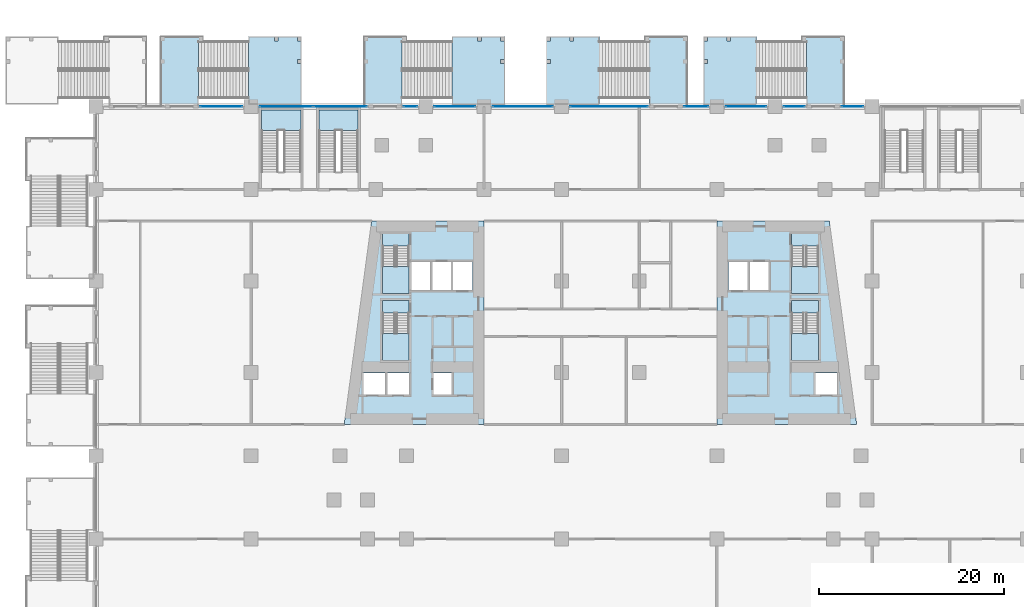
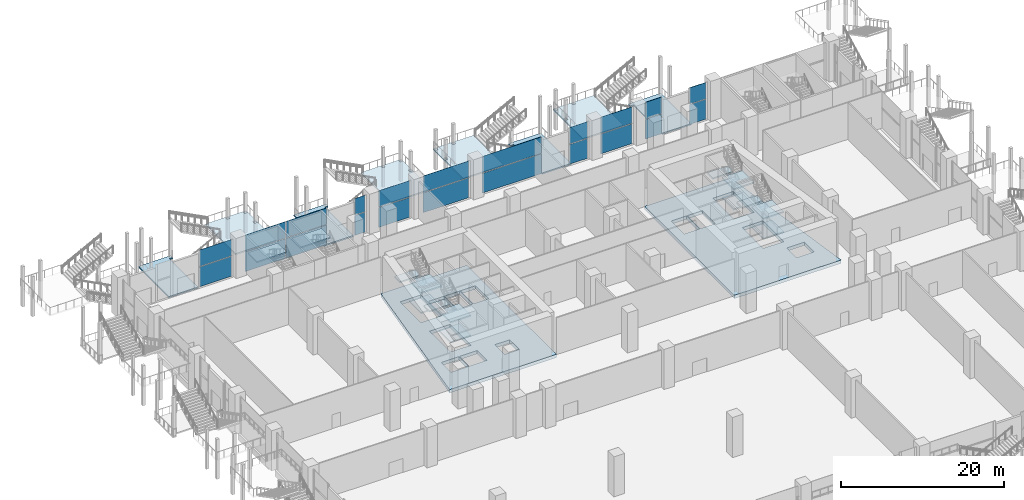
# One storey, part 19 of 49: 24 slabs, 22 plates, 20 elements without a shape of their own.
"""IFC4 building model written with IfcOpenShell, lengths in metres."""

import ifcopenshell
import ifcopenshell.guid

model = None  # the IFC model being written
_history = None  # IfcOwnerHistory: only IFC2X3 demands one
_inside = {}  # id of a spatial element -> (the spatial element, [elements in it])
_under = {}  # id of a project, library or spatial element -> (it, [spatial elements below it])
_declared = {}  # id of a project -> (the project, [libraries it declares])
_typed = {}  # id of a type object -> (the type object, [elements of that type])
_made_of = {}  # id of a material, layer set ... -> (it, [elements and type objects made of it])


def new_model(schema):
    """Start an empty IFC model of exactly this schema.

    Asked for "IFC4X3", IfcOpenShell would pick the latest addendum, in which some entities
    have other attributes; the version numbers below select the first issue.
    IFC2X3 requires an IfcOwnerHistory on every rooted entity: one is made here for all.
    """
    global model, _history
    if schema == "IFC4X3":
        model = ifcopenshell.file(schema_version=(4, 3, 0, 0))
    else:
        model = ifcopenshell.file(schema=schema)
    _inside.clear()
    _under.clear()
    _declared.clear()
    _typed.clear()
    _made_of.clear()
    _history = None
    if model.schema == "IFC2X3":
        org = make("IfcOrganization", Name="unknown")
        user = make(
            "IfcPersonAndOrganization",
            ThePerson=make("IfcPerson", FamilyName="unknown"),
            TheOrganization=org,
        )
        app = make(
            "IfcApplication",
            ApplicationDeveloper=org,
            Version="unknown",
            ApplicationFullName="unknown",
            ApplicationIdentifier="unknown",
        )
        _history = make(
            "IfcOwnerHistory",
            OwningUser=user,
            OwningApplication=app,
            ChangeAction="ADDED",
            CreationDate=0,
        )
    return model


def make(cls, **values):
    """One entity of the class cls with the attributes given. An attribute that is None is left unset."""
    return model.create_entity(
        cls, **{name: value for name, value in values.items() if value is not None}
    )


def rooted(cls, **values):
    """An entity with a GlobalId (a new one), such as an element, a storey or a relation."""
    return make(cls, GlobalId=ifcopenshell.guid.new(), OwnerHistory=_history, **values)


def si_unit(unit_type, name, prefix=None):
    """IfcSIUnit, for example si_unit("LENGTHUNIT", "METRE", prefix="MILLI")."""
    return make("IfcSIUnit", UnitType=unit_type, Prefix=prefix, Name=name)


def assignment(units):
    """IfcUnitAssignment: the units of a project."""
    return None if units is None else make("IfcUnitAssignment", Units=units)


def point(xyz):
    """IfcCartesianPoint."""
    return None if xyz is None else make("IfcCartesianPoint", Coordinates=xyz)


def direction(xyz):
    """IfcDirection."""
    return None if xyz is None else make("IfcDirection", DirectionRatios=xyz)


def frame(location, z_axis=None, x_axis=None):
    """IfcAxis2Placement3D, a coordinate frame: its origin and axes. An axis left out is left unset."""
    return make(
        "IfcAxis2Placement3D",
        Location=point(location),
        Axis=direction(z_axis),
        RefDirection=direction(x_axis),
    )


def frame_2d(location, x_axis=None):
    """IfcAxis2Placement2D, a coordinate frame in the plane: its origin and x axis."""
    return make(
        "IfcAxis2Placement2D", Location=point(location), RefDirection=direction(x_axis)
    )


def origin():
    """The frame at (0, 0, 0) with its axes left unset."""
    return frame((0.0, 0.0, 0.0))


def origin_2d():
    """The frame at (0, 0) in the plane with its x axis left unset."""
    return frame_2d((0.0, 0.0))


def place(relative_to, where):
    """IfcLocalPlacement: puts the frame where relative to a parent placement (None: the world)."""
    return make(
        "IfcLocalPlacement", PlacementRelTo=relative_to, RelativePlacement=where
    )


def context(
    kind, dimensions, precision=None, world=None, true_north=None, identifier=None
):
    """IfcGeometricRepresentationContext, for example the 3D "Model" context."""
    return make(
        "IfcGeometricRepresentationContext",
        ContextIdentifier=identifier,
        ContextType=kind,
        CoordinateSpaceDimension=dimensions,
        Precision=precision,
        WorldCoordinateSystem=world,
        TrueNorth=true_north,
    )


def subcontext(parent, identifier, kind, view, scale=None):
    """IfcGeometricRepresentationSubContext, for example "Body" below "Model"."""
    return make(
        "IfcGeometricRepresentationSubContext",
        ContextIdentifier=identifier,
        ContextType=kind,
        ParentContext=parent,
        TargetScale=scale,
        TargetView=view,
    )


def project(units=None, contexts=None):
    """IfcProject with its units and contexts."""
    return rooted(
        "IfcProject",
        Name="project",
        RepresentationContexts=contexts,
        UnitsInContext=assignment(units),
    )


def spatial(cls, under=None, at=None, **own):
    """A site, building, storey or space (cls), placed at a placement, below another one or the project."""
    s = rooted(cls, ObjectPlacement=at, **own)
    if under is not None:
        _under.setdefault(under.id(), (under, []))[1].append(s)
    return s


def polyline(points):
    """IfcPolyline through the points."""
    return make("IfcPolyline", Points=[point(p) for p in points])


def profile(cls, at=None, kind="AREA", **sizes):
    """A parametric profile (cls). Its sizes go by their IFC names, for example OverallWidth=200.0."""
    return make(cls, ProfileType=kind, Position=at, **sizes)


def rectangle(**sizes):
    """IfcRectangleProfileDef."""
    return profile("IfcRectangleProfileDef", **sizes)


def outline(outer, holes=None, kind="AREA"):
    """IfcArbitraryClosedProfileDef: a profile drawn as a closed curve; with holes, ...WithVoids."""
    if holes is None:
        return make("IfcArbitraryClosedProfileDef", ProfileType=kind, OuterCurve=outer)
    return make(
        "IfcArbitraryProfileDefWithVoids",
        ProfileType=kind,
        OuterCurve=outer,
        InnerCurves=holes,
    )


def extrude(swept, where, along, depth):
    """IfcExtrudedAreaSolid: the profile swept, set in the frame where, extruded along a direction by depth."""
    return make(
        "IfcExtrudedAreaSolid",
        SweptArea=swept,
        Position=where,
        ExtrudedDirection=direction(along),
        Depth=depth,
    )


def shape(context_of_items, identifier, shape_type, items):
    """IfcShapeRepresentation: the items that make up one representation, for example the "Body"."""
    return make(
        "IfcShapeRepresentation",
        ContextOfItems=context_of_items,
        RepresentationIdentifier=identifier,
        RepresentationType=shape_type,
        Items=items,
    )


def material(Name=None, Category=None):
    """IfcMaterial."""
    return make("IfcMaterial", Name=Name, Category=Category)


def layer(
    of_material, thickness, ventilated=None, Name=None, Category=None, Priority=None
):
    """IfcMaterialLayer: one layer of a wall or slab, of a material (None: an air gap)."""
    return make(
        "IfcMaterialLayer",
        Material=of_material,
        LayerThickness=thickness,
        IsVentilated=ventilated,
        Name=Name,
        Category=Category,
        Priority=Priority,
    )


def layer_set(layers, Name=None):
    """IfcMaterialLayerSet."""
    return make("IfcMaterialLayerSet", MaterialLayers=layers, LayerSetName=Name)


def made_of(thing, what):
    """Note that an element or type object is made of a material, layer set ...; save() writes the relation."""
    if what is not None:
        _made_of.setdefault(what.id(), (what, []))[1].append(thing)
    return thing


def type_object(cls, material=None, **own):
    """A type object (cls), such as IfcWallType, which elements share."""
    return made_of(rooted(cls, **own), material)


def element(
    cls,
    number,
    at=None,
    inside=None,
    cuts=None,
    type_object=None,
    material=None,
    context=None,
    identifier="Body",
    shape_type=None,
    held_by="IfcProductDefinitionShape",
    body=None,
    shapes=None,
    **own,
):
    """One element of the class cls, such as IfcWall. Its Tag is "e" and its number.

    at: its placement. inside: the storey or other place that contains it. cuts: it is an
    opening in that element (IfcRelVoidsElement). A single representation is given by context,
    identifier, shape_type and body (its items); several are given by shapes. held_by: the class
    of the entity that holds the representations. save() writes the other relations.
    """
    e = rooted(cls, Tag="e%d" % number, ObjectPlacement=at, **own)
    if body is not None:
        shapes = [shape(context, identifier, shape_type, body)]
    if shapes is not None:
        e.Representation = make(held_by, Representations=shapes)
    if inside is not None:
        _inside.setdefault(inside.id(), (inside, []))[1].append(e)
    if cuts is not None:
        rooted(
            "IfcRelVoidsElement", RelatingBuildingElement=cuts, RelatedOpeningElement=e
        )
    if type_object is not None:
        _typed.setdefault(type_object.id(), (type_object, []))[1].append(e)
    return made_of(e, material)


def aggregate(whole, parts):
    """IfcRelAggregates: a whole, such as a stair, and the parts it consists of."""
    return rooted("IfcRelAggregates", RelatingObject=whole, RelatedObjects=parts)


def save(model, path):
    """Write the relations noted so far, then the file.

    IfcRelAggregates (storeys below a building ...), IfcRelContainedInSpatialStructure (elements
    in a storey), IfcRelDefinesByType, IfcRelAssociatesMaterial and IfcRelDeclares: one each for
    every whole, place, type object, material and project.
    """
    for whole, parts in _under.values():
        aggregate(whole, parts)
    for where, things in _inside.values():
        rooted(
            "IfcRelContainedInSpatialStructure",
            RelatedElements=things,
            RelatingStructure=where,
        )
    for kind, things in _typed.values():
        rooted("IfcRelDefinesByType", RelatedObjects=things, RelatingType=kind)
    for what, things in _made_of.values():
        rooted("IfcRelAssociatesMaterial", RelatedObjects=things, RelatingMaterial=what)
    for by, libraries in _declared.values():
        rooted("IfcRelDeclares", RelatingContext=by, RelatedDefinitions=libraries)
    model.write(path)


model = new_model("IFC4")

# Units and contexts
model_context = context("Model", 3, precision=1e-05, world=origin(), true_north=direction((0.0, 1.0)))
body_context = subcontext(model_context, "Body", "Model", "MODEL_VIEW")
ifc_project = project(units=[si_unit("LENGTHUNIT", "METRE"), si_unit("AREAUNIT", "SQUARE_METRE"), si_unit("VOLUMEUNIT", "CUBIC_METRE"), si_unit("PLANEANGLEUNIT", "RADIAN"), si_unit("MASSUNIT", "GRAM", prefix="KILO")], contexts=[model_context])

# Site, building, storey
site_placement = place(None, origin())
site = spatial("IfcSite", under=ifc_project, at=site_placement, CompositionType="ELEMENT")
building_placement = place(site_placement, origin())
building = spatial("IfcBuilding", under=site, at=building_placement, Name="Candeia Pilgrim Tower and Theatre", CompositionType="ELEMENT")
storey_placement = place(building_placement, frame((0.0, 0.0, 17.0)))
storey = spatial("IfcBuildingStorey", under=building, at=storey_placement, Name="L02", CompositionType="ELEMENT", Elevation=17.0)

# Curtain wall, plates
ifc_material_1 = material(Name="Aluminium framed podium glazing", Category="aluminium")
curtain_wall_type = type_object("IfcCurtainWallType", Name="CW-P curtain wall", PredefinedType="NOTDEFINED", material=ifc_material_1)
curtain_wall_1_placement = place(storey_placement, origin())
curtain_wall_1 = element("IfcCurtainWall", 1, at=curtain_wall_1_placement, inside=storey, type_object=curtain_wall_type, Name="Curtain wall CW-P L02.102", PredefinedType="NOTDEFINED")
ifc_material_2 = material(Name="Laminated low-iron glass 2 x 8 mm", Category="glass")
ifc_layer_1 = layer(ifc_material_2, 0.035888671875)
ifc_layer_set_1 = layer_set([ifc_layer_1], Name="CW-P glass panel 36")
plate_type = type_object("IfcPlateType", Name="CW-P glass panel 36", PredefinedType="CURTAIN_PANEL", material=ifc_layer_set_1)
plate_1_placement = place(storey_placement, frame((72.375, 144.800048828125, 0.0), z_axis=(0.0, 0.0, 1.0), x_axis=(1.0, 0.0, 0.0)))
plate_1 = element("IfcPlate", 2, at=plate_1_placement, type_object=plate_type, Name="CW-P panel 1.1", PredefinedType="CURTAIN_PANEL", context=body_context, shape_type="SweptSolid", body=[
    extrude(rectangle(XDim=4.570068359375, YDim=0.035888671875, at=origin_2d()), origin(), (0.0, 0.0, 1.0), 2.9599609375),
])
plate_2_placement = place(storey_placement, frame((72.375, 144.800048828125, 3.0400390625), z_axis=(0.0, 0.0, 1.0), x_axis=(1.0, 0.0, 0.0)))
plate_2 = element("IfcPlate", 3, at=plate_2_placement, type_object=plate_type, Name="CW-P panel 1.2", PredefinedType="CURTAIN_PANEL", context=body_context, shape_type="SweptSolid", body=[
    extrude(rectangle(XDim=4.570068359375, YDim=0.035888671875, at=origin_2d()), origin(), (0.0, 0.0, 1.0), 2.4599609375),
])
aggregate(curtain_wall_1, [plate_1, plate_2])

curtain_wall_2_placement = place(storey_placement, origin())
curtain_wall_2 = element("IfcCurtainWall", 4, at=curtain_wall_2_placement, inside=storey, type_object=curtain_wall_type, Name="Curtain wall CW-P L02.110", PredefinedType="NOTDEFINED")
plate_3_placement = place(storey_placement, frame((79.41259765625, 144.800048828125, 0.0), z_axis=(0.0, 0.0, 1.0), x_axis=(1.0, 0.0, 0.0)))
plate_3 = element("IfcPlate", 5, at=plate_3_placement, type_object=plate_type, Name="CW-P panel 1.1", PredefinedType="CURTAIN_PANEL", context=body_context, shape_type="SweptSolid", body=[
    extrude(rectangle(XDim=5.7451171875, YDim=0.035888671875, at=origin_2d()), origin(), (0.0, 0.0, 1.0), 2.9599609375),
])
plate_4_placement = place(storey_placement, frame((79.41259765625, 144.800048828125, 3.0400390625), z_axis=(0.0, 0.0, 1.0), x_axis=(1.0, 0.0, 0.0)))
plate_4 = element("IfcPlate", 6, at=plate_4_placement, type_object=plate_type, Name="CW-P panel 1.2", PredefinedType="CURTAIN_PANEL", context=body_context, shape_type="SweptSolid", body=[
    extrude(rectangle(XDim=5.7451171875, YDim=0.035888671875, at=origin_2d()), origin(), (0.0, 0.0, 1.0), 2.4599609375),
])
plate_5_placement = place(storey_placement, frame((85.237548828125, 144.800048828125, 0.0), z_axis=(0.0, 0.0, 1.0), x_axis=(1.0, 0.0, 0.0)))
plate_5 = element("IfcPlate", 7, at=plate_5_placement, type_object=plate_type, Name="CW-P panel 2.1", PredefinedType="CURTAIN_PANEL", context=body_context, shape_type="SweptSolid", body=[
    extrude(rectangle(XDim=5.7451171875, YDim=0.035888671875, at=origin_2d()), origin(), (0.0, 0.0, 1.0), 2.9599609375),
])
plate_6_placement = place(storey_placement, frame((85.237548828125, 144.800048828125, 3.0400390625), z_axis=(0.0, 0.0, 1.0), x_axis=(1.0, 0.0, 0.0)))
plate_6 = element("IfcPlate", 8, at=plate_6_placement, type_object=plate_type, Name="CW-P panel 2.2", PredefinedType="CURTAIN_PANEL", context=body_context, shape_type="SweptSolid", body=[
    extrude(rectangle(XDim=5.7451171875, YDim=0.035888671875, at=origin_2d()), origin(), (0.0, 0.0, 1.0), 2.4599609375),
])
aggregate(curtain_wall_2, [plate_3, plate_4, plate_5, plate_6])

curtain_wall_3_placement = place(storey_placement, origin())
curtain_wall_3 = element("IfcCurtainWall", 9, at=curtain_wall_3_placement, inside=storey, type_object=curtain_wall_type, Name="Curtain wall CW-P L02.111", PredefinedType="NOTDEFINED")
plate_7_placement = place(storey_placement, frame((92.824951171875, 144.800048828125, 0.0), z_axis=(0.0, 0.0, 1.0), x_axis=(1.0, 0.0, 0.0)))
plate_7 = element("IfcPlate", 10, at=plate_7_placement, type_object=plate_type, Name="CW-P panel 1.1", PredefinedType="CURTAIN_PANEL", context=body_context, shape_type="SweptSolid", body=[
    extrude(rectangle(XDim=1.469970703125, YDim=0.035888671875, at=origin_2d()), origin(), (0.0, 0.0, 1.0), 2.9599609375),
])
plate_8_placement = place(storey_placement, frame((92.824951171875, 144.800048828125, 3.0400390625), z_axis=(0.0, 0.0, 1.0), x_axis=(1.0, 0.0, 0.0)))
plate_8 = element("IfcPlate", 11, at=plate_8_placement, type_object=plate_type, Name="CW-P panel 1.2", PredefinedType="CURTAIN_PANEL", context=body_context, shape_type="SweptSolid", body=[
    extrude(rectangle(XDim=1.469970703125, YDim=0.035888671875, at=origin_2d()), origin(), (0.0, 0.0, 1.0), 2.4599609375),
])
aggregate(curtain_wall_3, [plate_7, plate_8])

curtain_wall_4_placement = place(storey_placement, origin())
curtain_wall_4 = element("IfcCurtainWall", 12, at=curtain_wall_4_placement, inside=storey, type_object=curtain_wall_type, Name="Curtain wall CW-P L02.120", PredefinedType="NOTDEFINED")
plate_9_placement = place(storey_placement, frame((97.64990234375, 144.800048828125, 0.0), z_axis=(0.0, 0.0, 1.0), x_axis=(1.0, 0.0, 0.0)))
plate_9 = element("IfcPlate", 13, at=plate_9_placement, type_object=plate_type, Name="CW-P panel 1.1", PredefinedType="CURTAIN_PANEL", context=body_context, shape_type="SweptSolid", body=[
    extrude(rectangle(XDim=4.419921875, YDim=0.035888671875, at=origin_2d()), origin(), (0.0, 0.0, 1.0), 2.9599609375),
])
plate_10_placement = place(storey_placement, frame((97.64990234375, 144.800048828125, 3.0400390625), z_axis=(0.0, 0.0, 1.0), x_axis=(1.0, 0.0, 0.0)))
plate_10 = element("IfcPlate", 14, at=plate_10_placement, type_object=plate_type, Name="CW-P panel 1.2", PredefinedType="CURTAIN_PANEL", context=body_context, shape_type="SweptSolid", body=[
    extrude(rectangle(XDim=4.419921875, YDim=0.035888671875, at=origin_2d()), origin(), (0.0, 0.0, 1.0), 2.4599609375),
])
aggregate(curtain_wall_4, [plate_9, plate_10])

curtain_wall_5_placement = place(storey_placement, origin())
curtain_wall_5 = element("IfcCurtainWall", 15, at=curtain_wall_5_placement, inside=storey, type_object=curtain_wall_type, Name="Curtain wall CW-P L02.130", PredefinedType="NOTDEFINED")
plate_11_placement = place(storey_placement, frame((105.0, 144.800048828125, 0.0), z_axis=(0.0, 0.0, 1.0), x_axis=(1.0, 0.0, 0.0)))
plate_11 = element("IfcPlate", 16, at=plate_11_placement, type_object=plate_type, Name="CW-P panel 1.1", PredefinedType="CURTAIN_PANEL", context=body_context, shape_type="SweptSolid", body=[
    extrude(rectangle(XDim=6.52001953125, YDim=0.035888671875, at=origin_2d()), origin(), (0.0, 0.0, 1.0), 2.9599609375),
])
plate_12_placement = place(storey_placement, frame((105.0, 144.800048828125, 3.0400390625), z_axis=(0.0, 0.0, 1.0), x_axis=(1.0, 0.0, 0.0)))
plate_12 = element("IfcPlate", 17, at=plate_12_placement, type_object=plate_type, Name="CW-P panel 1.2", PredefinedType="CURTAIN_PANEL", context=body_context, shape_type="SweptSolid", body=[
    extrude(rectangle(XDim=6.52001953125, YDim=0.035888671875, at=origin_2d()), origin(), (0.0, 0.0, 1.0), 2.4599609375),
])
aggregate(curtain_wall_5, [plate_11, plate_12])

curtain_wall_6_placement = place(storey_placement, origin())
curtain_wall_6 = element("IfcCurtainWall", 18, at=curtain_wall_6_placement, inside=storey, type_object=curtain_wall_type, Name="Curtain wall CW-P L02.140", PredefinedType="NOTDEFINED")
plate_13_placement = place(storey_placement, frame((114.324951171875, 144.800048828125, 0.0), z_axis=(0.0, 0.0, 1.0), x_axis=(1.0, 0.0, 0.0)))
plate_13 = element("IfcPlate", 19, at=plate_13_placement, type_object=plate_type, Name="CW-P panel 1.1", PredefinedType="CURTAIN_PANEL", context=body_context, shape_type="SweptSolid", body=[
    extrude(rectangle(XDim=8.3701171875, YDim=0.035888671875, at=origin_2d()), origin(), (0.0, 0.0, 1.0), 2.9599609375),
])
plate_14_placement = place(storey_placement, frame((114.324951171875, 144.800048828125, 3.0400390625), z_axis=(0.0, 0.0, 1.0), x_axis=(1.0, 0.0, 0.0)))
plate_14 = element("IfcPlate", 20, at=plate_14_placement, type_object=plate_type, Name="CW-P panel 1.2", PredefinedType="CURTAIN_PANEL", context=body_context, shape_type="SweptSolid", body=[
    extrude(rectangle(XDim=8.3701171875, YDim=0.035888671875, at=origin_2d()), origin(), (0.0, 0.0, 1.0), 2.4599609375),
])
aggregate(curtain_wall_6, [plate_13, plate_14])

curtain_wall_7_placement = place(storey_placement, origin())
curtain_wall_7 = element("IfcCurtainWall", 21, at=curtain_wall_7_placement, inside=storey, type_object=curtain_wall_type, Name="Curtain wall CW-P L02.141", PredefinedType="NOTDEFINED")
plate_15_placement = place(storey_placement, frame((123.77490234375, 144.800048828125, 0.0), z_axis=(0.0, 0.0, 1.0), x_axis=(1.0, 0.0, 0.0)))
plate_15 = element("IfcPlate", 22, at=plate_15_placement, type_object=plate_type, Name="CW-P panel 1.1", PredefinedType="CURTAIN_PANEL", context=body_context, shape_type="SweptSolid", body=[
    extrude(rectangle(XDim=2.570068359375, YDim=0.035888671875, at=origin_2d()), origin(), (0.0, 0.0, 1.0), 2.9599609375),
])
plate_16_placement = place(storey_placement, frame((123.77490234375, 144.800048828125, 3.0400390625), z_axis=(0.0, 0.0, 1.0), x_axis=(1.0, 0.0, 0.0)))
plate_16 = element("IfcPlate", 23, at=plate_16_placement, type_object=plate_type, Name="CW-P panel 1.2", PredefinedType="CURTAIN_PANEL", context=body_context, shape_type="SweptSolid", body=[
    extrude(rectangle(XDim=2.570068359375, YDim=0.035888671875, at=origin_2d()), origin(), (0.0, 0.0, 1.0), 2.4599609375),
])
aggregate(curtain_wall_7, [plate_15, plate_16])

curtain_wall_8_placement = place(storey_placement, origin())
curtain_wall_8 = element("IfcCurtainWall", 24, at=curtain_wall_8_placement, inside=storey, type_object=curtain_wall_type, Name="Curtain wall CW-P L02.150", PredefinedType="NOTDEFINED")
plate_17_placement = place(storey_placement, frame((129.14990234375, 144.800048828125, 0.0), z_axis=(0.0, 0.0, 1.0), x_axis=(1.0, 0.0, 0.0)))
plate_17 = element("IfcPlate", 25, at=plate_17_placement, type_object=plate_type, Name="CW-P panel 1.1", PredefinedType="CURTAIN_PANEL", context=body_context, shape_type="SweptSolid", body=[
    extrude(rectangle(XDim=4.419921875, YDim=0.035888671875, at=origin_2d()), origin(), (0.0, 0.0, 1.0), 2.9599609375),
])
plate_18_placement = place(storey_placement, frame((129.14990234375, 144.800048828125, 3.0400390625), z_axis=(0.0, 0.0, 1.0), x_axis=(1.0, 0.0, 0.0)))
plate_18 = element("IfcPlate", 26, at=plate_18_placement, type_object=plate_type, Name="CW-P panel 1.2", PredefinedType="CURTAIN_PANEL", context=body_context, shape_type="SweptSolid", body=[
    extrude(rectangle(XDim=4.419921875, YDim=0.035888671875, at=origin_2d()), origin(), (0.0, 0.0, 1.0), 2.4599609375),
])
aggregate(curtain_wall_8, [plate_17, plate_18])

curtain_wall_9_placement = place(storey_placement, origin())
curtain_wall_9 = element("IfcCurtainWall", 27, at=curtain_wall_9_placement, inside=storey, type_object=curtain_wall_type, Name="Curtain wall CW-P L02.160", PredefinedType="NOTDEFINED")
plate_19_placement = place(storey_placement, frame((134.375, 144.800048828125, 0.0), z_axis=(0.0, 0.0, 1.0), x_axis=(1.0, 0.0, 0.0)))
plate_19 = element("IfcPlate", 28, at=plate_19_placement, type_object=plate_type, Name="CW-P panel 1.1", PredefinedType="CURTAIN_PANEL", context=body_context, shape_type="SweptSolid", body=[
    extrude(rectangle(XDim=2.27001953125, YDim=0.035888671875, at=origin_2d()), origin(), (0.0, 0.0, 1.0), 2.9599609375),
])
plate_20_placement = place(storey_placement, frame((134.375, 144.800048828125, 3.0400390625), z_axis=(0.0, 0.0, 1.0), x_axis=(1.0, 0.0, 0.0)))
plate_20 = element("IfcPlate", 29, at=plate_20_placement, type_object=plate_type, Name="CW-P panel 1.2", PredefinedType="CURTAIN_PANEL", context=body_context, shape_type="SweptSolid", body=[
    extrude(rectangle(XDim=2.27001953125, YDim=0.035888671875, at=origin_2d()), origin(), (0.0, 0.0, 1.0), 2.4599609375),
])
aggregate(curtain_wall_9, [plate_19, plate_20])

curtain_wall_10_placement = place(storey_placement, origin())
curtain_wall_10 = element("IfcCurtainWall", 30, at=curtain_wall_10_placement, inside=storey, type_object=curtain_wall_type, Name="Curtain wall CW-P L02.161", PredefinedType="NOTDEFINED")
plate_21_placement = place(storey_placement, frame((140.675048828125, 144.800048828125, 0.0), z_axis=(0.0, 0.0, 1.0), x_axis=(1.0, 0.0, 0.0)))
plate_21 = element("IfcPlate", 31, at=plate_21_placement, type_object=plate_type, Name="CW-P panel 1.1", PredefinedType="CURTAIN_PANEL", context=body_context, shape_type="SweptSolid", body=[
    extrude(rectangle(XDim=2.3701171875, YDim=0.035888671875, at=origin_2d()), origin(), (0.0, 0.0, 1.0), 2.9599609375),
])
plate_22_placement = place(storey_placement, frame((140.675048828125, 144.800048828125, 3.0400390625), z_axis=(0.0, 0.0, 1.0), x_axis=(1.0, 0.0, 0.0)))
plate_22 = element("IfcPlate", 32, at=plate_22_placement, type_object=plate_type, Name="CW-P panel 1.2", PredefinedType="CURTAIN_PANEL", context=body_context, shape_type="SweptSolid", body=[
    extrude(rectangle(XDim=2.3701171875, YDim=0.035888671875, at=origin_2d()), origin(), (0.0, 0.0, 1.0), 2.4599609375),
])
aggregate(curtain_wall_10, [plate_21, plate_22])

# Slabs
ifc_material_3 = material(Name="Concrete C60/75", Category="concrete")
ifc_layer_2 = layer(ifc_material_3, 0.5)
ifc_layer_set_2 = layer_set([ifc_layer_2], Name="FS-CORE 500 core floor")
slab_type_1 = type_object("IfcSlabType", Name="FS-CORE 500 core floor", PredefinedType="FLOOR", material=ifc_layer_set_2)
slab_1_placement = place(storey_placement, frame((0.0, 0.0, -0.5)))
element("IfcSlab", 33, at=slab_1_placement, inside=storey, type_object=slab_type_1, Name="Core floor W L02", PredefinedType="FLOOR", context=body_context, shape_type="SweptSolid", body=[
    extrude(outline(polyline([(100.800048828125, 132.39990234375), (100.800048828125, 110.39990234375), (85.669189453125, 110.39990234375), (88.630859375, 132.39990234375), (100.800048828125, 132.39990234375)]), holes=[polyline([(97.392333984375, 128.050048828125), (97.392333984375, 124.85009765625), (99.550048828125, 124.85009765625), (99.550048828125, 128.050048828125), (97.392333984375, 128.050048828125)]), polyline([(95.277099609375, 115.949951171875), (95.277099609375, 113.550048828125), (97.363525390625, 113.550048828125), (97.363525390625, 115.949951171875), (95.277099609375, 115.949951171875)]), polyline([(95.134765625, 128.050048828125), (95.134765625, 124.85009765625), (97.292236328125, 124.85009765625), (97.292236328125, 128.050048828125), (95.134765625, 128.050048828125)]), polyline([(92.876953125, 128.050048828125), (92.876953125, 124.85009765625), (95.03466796875, 124.85009765625), (95.03466796875, 128.050048828125), (92.876953125, 128.050048828125)]), polyline([(90.279052734375, 115.949951171875), (90.279052734375, 113.550048828125), (92.777099609375, 113.550048828125), (92.777099609375, 115.949951171875), (90.279052734375, 115.949951171875)]), polyline([(89.802001953125, 122.455078125), (89.802001953125, 117.324951171875), (92.701904296875, 117.324951171875), (92.701904296875, 122.455078125), (89.802001953125, 122.455078125)]), polyline([(89.802001953125, 129.705078125), (89.802001953125, 124.574951171875), (92.701904296875, 124.574951171875), (92.701904296875, 129.705078125), (89.802001953125, 129.705078125)]), polyline([(87.680908203125, 115.949951171875), (87.680908203125, 113.550048828125), (90.178955078125, 113.550048828125), (90.178955078125, 115.949951171875), (87.680908203125, 115.949951171875)])]), origin(), (0.0, 0.0, 1.0), 0.5),
])
slab_2_placement = place(storey_placement, frame((0.0, 0.0, -0.5)))
element("IfcSlab", 34, at=slab_2_placement, inside=storey, type_object=slab_type_1, Name="Core floor E L02", PredefinedType="FLOOR", context=body_context, shape_type="SweptSolid", body=[
    extrude(outline(polyline([(138.169189453125, 132.39990234375), (141.130859375, 110.39990234375), (126.0, 110.39990234375), (126.0, 132.39990234375), (138.169189453125, 132.39990234375)]), holes=[polyline([(136.62109375, 115.949951171875), (136.62109375, 113.550048828125), (139.118896484375, 113.550048828125), (139.118896484375, 115.949951171875), (136.62109375, 115.949951171875)]), polyline([(134.097900390625, 117.324951171875), (136.998046875, 117.324951171875), (136.998046875, 122.455078125), (134.097900390625, 122.455078125), (134.097900390625, 117.324951171875)]), polyline([(134.097900390625, 129.705078125), (134.097900390625, 124.574951171875), (136.998046875, 124.574951171875), (136.998046875, 129.705078125), (134.097900390625, 129.705078125)]), polyline([(131.665283203125, 128.050048828125), (129.5078125, 128.050048828125), (129.5078125, 124.85009765625), (131.665283203125, 124.85009765625), (131.665283203125, 128.050048828125)]), polyline([(127.25, 128.050048828125), (127.25, 124.85009765625), (129.40771484375, 124.85009765625), (129.40771484375, 128.050048828125), (127.25, 128.050048828125)])]), origin(), (0.0, 0.0, 1.0), 0.5),
])
ifc_material_4 = material(Name="Concrete C40/50", Category="concrete")
ifc_layer_3 = layer(ifc_material_4, 0.199951171875)
ifc_layer_set_3 = layer_set([ifc_layer_3], Name="SL-EXT stair landing")
slab_type_2 = type_object("IfcSlabType", Name="SL-EXT stair landing", PredefinedType="LANDING", material=ifc_layer_set_3)
slab_3_placement = place(storey_placement, frame((0.0, 0.0, -0.199951171875)))
element("IfcSlab", 35, at=slab_3_placement, inside=storey, type_object=slab_type_2, Name="L02 External escape stair ES4 floor landing", PredefinedType="LANDING", context=body_context, shape_type="SweptSolid", body=[
    extrude(outline(polyline([(65.800048828125, 144.85009765625), (69.919921875, 144.85009765625), (69.919921875, 151.85009765625), (70.39990234375, 151.85009765625), (70.39990234375, 152.35009765625), (65.800048828125, 152.35009765625), (65.800048828125, 144.85009765625)])), origin(), (0.0, 0.0, 1.0), 0.199951171875),
])

# Stair, slab
stair_type_1 = type_object("IfcStairType", Name="ST-EXT external escape stair", PredefinedType="HALF_TURN_STAIR", material=ifc_material_4)
stair_1_placement = place(storey_placement, origin())
stair_1 = element("IfcStair", 36, at=stair_1_placement, inside=storey, type_object=stair_type_1, Name="L02 External escape stair ES4", PredefinedType="HALF_TURN_STAIR")
slab_4_placement = place(storey_placement, frame((0.0, 0.0, 2.800048828125)))
slab_4 = element("IfcSlab", 37, at=slab_4_placement, type_object=slab_type_2, Name="L02 External escape stair ES4 landing", PredefinedType="LANDING", context=body_context, shape_type="SweptSolid", body=[
    extrude(outline(polyline([(75.320068359375, 145.0), (81.06005859375, 145.0), (81.06005859375, 152.35009765625), (75.320068359375, 152.35009765625), (75.320068359375, 145.0)]), holes=[polyline([(78.110107421875, 151.89990234375), (78.510009765625, 151.89990234375), (78.510009765625, 152.300048828125), (78.110107421875, 152.300048828125), (78.110107421875, 151.89990234375)]), polyline([(80.610107421875, 151.89990234375), (81.010009765625, 151.89990234375), (81.010009765625, 152.300048828125), (80.610107421875, 152.300048828125), (80.610107421875, 151.89990234375)]), polyline([(80.610107421875, 149.47509765625), (81.010009765625, 149.47509765625), (81.010009765625, 149.875), (80.610107421875, 149.875), (80.610107421875, 149.47509765625)])]), origin(), (0.0, 0.0, 1.0), 0.199951171875),
])
aggregate(stair_1, [slab_4])

# Slab
slab_5_placement = place(storey_placement, frame((0.0, 0.0, -0.199951171875)))
element("IfcSlab", 38, at=slab_5_placement, inside=storey, type_object=slab_type_2, Name="L02 External escape stair ES5 floor landing", PredefinedType="LANDING", context=body_context, shape_type="SweptSolid", body=[
    extrude(outline(polyline([(87.800048828125, 144.85009765625), (91.919921875, 144.85009765625), (91.919921875, 151.85009765625), (92.39990234375, 151.85009765625), (92.39990234375, 152.35009765625), (87.800048828125, 152.35009765625), (87.800048828125, 144.85009765625)])), origin(), (0.0, 0.0, 1.0), 0.199951171875),
])

# Stair, slab
stair_2_placement = place(storey_placement, origin())
stair_2 = element("IfcStair", 39, at=stair_2_placement, inside=storey, type_object=stair_type_1, Name="L02 External escape stair ES5", PredefinedType="HALF_TURN_STAIR")
slab_6_placement = place(storey_placement, frame((0.0, 0.0, 2.800048828125)))
slab_6 = element("IfcSlab", 40, at=slab_6_placement, type_object=slab_type_2, Name="L02 External escape stair ES5 landing", PredefinedType="LANDING", context=body_context, shape_type="SweptSolid", body=[
    extrude(outline(polyline([(97.320068359375, 145.0), (103.06005859375, 145.0), (103.06005859375, 152.35009765625), (97.320068359375, 152.35009765625), (97.320068359375, 145.0)]), holes=[polyline([(100.110107421875, 151.89990234375), (100.510009765625, 151.89990234375), (100.510009765625, 152.300048828125), (100.110107421875, 152.300048828125), (100.110107421875, 151.89990234375)]), polyline([(102.610107421875, 151.89990234375), (103.010009765625, 151.89990234375), (103.010009765625, 152.300048828125), (102.610107421875, 152.300048828125), (102.610107421875, 151.89990234375)]), polyline([(102.610107421875, 149.47509765625), (103.010009765625, 149.47509765625), (103.010009765625, 149.875), (102.610107421875, 149.875), (102.610107421875, 149.47509765625)])]), origin(), (0.0, 0.0, 1.0), 0.199951171875),
])
aggregate(stair_2, [slab_6])

# Slab
slab_7_placement = place(storey_placement, frame((0.0, 0.0, -0.199951171875)))
element("IfcSlab", 41, at=slab_7_placement, inside=storey, type_object=slab_type_2, Name="L02 External escape stair ES6 floor landing", PredefinedType="LANDING", context=body_context, shape_type="SweptSolid", body=[
    extrude(outline(polyline([(122.800048828125, 144.85009765625), (118.679931640625, 144.85009765625), (118.679931640625, 151.85009765625), (118.199951171875, 151.85009765625), (118.199951171875, 152.35009765625), (122.800048828125, 152.35009765625), (122.800048828125, 144.85009765625)])), origin(), (0.0, 0.0, 1.0), 0.199951171875),
])

# Stair, slab
stair_3_placement = place(storey_placement, origin())
stair_3 = element("IfcStair", 42, at=stair_3_placement, inside=storey, type_object=stair_type_1, Name="L02 External escape stair ES6", PredefinedType="HALF_TURN_STAIR")
slab_8_placement = place(storey_placement, frame((0.0, 0.0, 2.800048828125)))
slab_8 = element("IfcSlab", 43, at=slab_8_placement, type_object=slab_type_2, Name="L02 External escape stair ES6 landing", PredefinedType="LANDING", context=body_context, shape_type="SweptSolid", body=[
    extrude(outline(polyline([(113.280029296875, 145.0), (107.5400390625, 145.0), (107.5400390625, 152.35009765625), (113.280029296875, 152.35009765625), (113.280029296875, 145.0)]), holes=[polyline([(110.090087890625, 151.89990234375), (110.489990234375, 151.89990234375), (110.489990234375, 152.300048828125), (110.090087890625, 152.300048828125), (110.090087890625, 151.89990234375)]), polyline([(107.590087890625, 151.89990234375), (107.989990234375, 151.89990234375), (107.989990234375, 152.300048828125), (107.590087890625, 152.300048828125), (107.590087890625, 151.89990234375)]), polyline([(107.590087890625, 149.47509765625), (107.989990234375, 149.47509765625), (107.989990234375, 149.875), (107.590087890625, 149.875), (107.590087890625, 149.47509765625)])]), origin(), (0.0, 0.0, 1.0), 0.199951171875),
])
aggregate(stair_3, [slab_8])

# Slab
slab_9_placement = place(storey_placement, frame((0.0, 0.0, -0.199951171875)))
element("IfcSlab", 44, at=slab_9_placement, inside=storey, type_object=slab_type_2, Name="L02 External escape stair ES7 floor landing", PredefinedType="LANDING", context=body_context, shape_type="SweptSolid", body=[
    extrude(outline(polyline([(139.800048828125, 144.85009765625), (135.679931640625, 144.85009765625), (135.679931640625, 151.85009765625), (135.199951171875, 151.85009765625), (135.199951171875, 152.35009765625), (139.800048828125, 152.35009765625), (139.800048828125, 144.85009765625)])), origin(), (0.0, 0.0, 1.0), 0.199951171875),
])

# Stair, slab
stair_4_placement = place(storey_placement, origin())
stair_4 = element("IfcStair", 45, at=stair_4_placement, inside=storey, type_object=stair_type_1, Name="L02 External escape stair ES7", PredefinedType="HALF_TURN_STAIR")
slab_10_placement = place(storey_placement, frame((0.0, 0.0, 2.800048828125)))
slab_10 = element("IfcSlab", 46, at=slab_10_placement, type_object=slab_type_2, Name="L02 External escape stair ES7 landing", PredefinedType="LANDING", context=body_context, shape_type="SweptSolid", body=[
    extrude(outline(polyline([(130.280029296875, 145.0), (124.5400390625, 145.0), (124.5400390625, 152.35009765625), (130.280029296875, 152.35009765625), (130.280029296875, 145.0)]), holes=[polyline([(127.090087890625, 151.89990234375), (127.489990234375, 151.89990234375), (127.489990234375, 152.300048828125), (127.090087890625, 152.300048828125), (127.090087890625, 151.89990234375)]), polyline([(124.590087890625, 151.89990234375), (124.989990234375, 151.89990234375), (124.989990234375, 152.300048828125), (124.590087890625, 152.300048828125), (124.590087890625, 151.89990234375)]), polyline([(124.590087890625, 149.47509765625), (124.989990234375, 149.47509765625), (124.989990234375, 149.875), (124.590087890625, 149.875), (124.590087890625, 149.47509765625)])]), origin(), (0.0, 0.0, 1.0), 0.199951171875),
])
aggregate(stair_4, [slab_10])

# Stair, slabs
stair_type_2 = type_object("IfcStairType", Name="ST-TWR dog-leg escape stair", PredefinedType="HALF_TURN_STAIR", material=ifc_material_4)
stair_5_placement = place(storey_placement, origin())
stair_5 = element("IfcStair", 47, at=stair_5_placement, inside=storey, type_object=stair_type_2, Name="L02 Escape stair ST1", PredefinedType="HALF_TURN_STAIR")
ifc_layer_4 = layer(ifc_material_4, 0.199951171875)
ifc_layer_set_4 = layer_set([ifc_layer_4], Name="SL-LANDING stair landing")
slab_type_3 = type_object("IfcSlabType", Name="SL-LANDING stair landing", PredefinedType="LANDING", material=ifc_layer_set_4)
slab_11_placement = place(storey_placement, frame((0.0, 0.0, 1.300048828125)))
slab_11 = element("IfcSlab", 48, at=slab_11_placement, type_object=slab_type_3, Name="ST1 landing 1", PredefinedType="LANDING", context=body_context, shape_type="SweptSolid", body=[
    extrude(outline(polyline([(89.802001953125, 120.235107421875), (89.802001953125, 117.324951171875), (92.701904296875, 117.324951171875), (92.701904296875, 120.235107421875), (89.802001953125, 120.235107421875)])), origin(), (0.0, 0.0, 1.0), 0.199951171875),
])
slab_12_placement = place(storey_placement, frame((0.0, 0.0, 2.800048828125)))
slab_12 = element("IfcSlab", 49, at=slab_12_placement, type_object=slab_type_3, Name="ST1 landing 2", PredefinedType="LANDING", context=body_context, shape_type="SweptSolid", body=[
    extrude(outline(polyline([(89.802001953125, 123.824951171875), (89.802001953125, 122.47509765625), (92.701904296875, 122.47509765625), (92.701904296875, 123.824951171875), (89.802001953125, 123.824951171875)])), origin(), (0.0, 0.0, 1.0), 0.199951171875),
])
slab_13_placement = place(storey_placement, frame((0.0, 0.0, 4.300048828125)))
slab_13 = element("IfcSlab", 50, at=slab_13_placement, type_object=slab_type_3, Name="ST1 landing 3", PredefinedType="LANDING", context=body_context, shape_type="SweptSolid", body=[
    extrude(outline(polyline([(89.802001953125, 120.235107421875), (89.802001953125, 117.324951171875), (92.701904296875, 117.324951171875), (92.701904296875, 120.235107421875), (89.802001953125, 120.235107421875)])), origin(), (0.0, 0.0, 1.0), 0.199951171875),
])
aggregate(stair_5, [slab_11, slab_12, slab_13])

stair_6_placement = place(storey_placement, origin())
stair_6 = element("IfcStair", 51, at=stair_6_placement, inside=storey, type_object=stair_type_2, Name="L02 Escape stair ST2", PredefinedType="HALF_TURN_STAIR")
slab_14_placement = place(storey_placement, frame((0.0, 0.0, 1.300048828125)))
slab_14 = element("IfcSlab", 52, at=slab_14_placement, type_object=slab_type_3, Name="ST2 landing 1", PredefinedType="LANDING", context=body_context, shape_type="SweptSolid", body=[
    extrude(outline(polyline([(89.802001953125, 127.485107421875), (89.802001953125, 124.574951171875), (92.701904296875, 124.574951171875), (92.701904296875, 127.485107421875), (89.802001953125, 127.485107421875)])), origin(), (0.0, 0.0, 1.0), 0.199951171875),
])
slab_15_placement = place(storey_placement, frame((0.0, 0.0, 2.800048828125)))
slab_15 = element("IfcSlab", 53, at=slab_15_placement, type_object=slab_type_3, Name="ST2 landing 2", PredefinedType="LANDING", context=body_context, shape_type="SweptSolid", body=[
    extrude(outline(polyline([(89.802001953125, 131.074951171875), (89.802001953125, 129.72509765625), (92.701904296875, 129.72509765625), (92.701904296875, 131.074951171875), (89.802001953125, 131.074951171875)])), origin(), (0.0, 0.0, 1.0), 0.199951171875),
])
slab_16_placement = place(storey_placement, frame((0.0, 0.0, 4.300048828125)))
slab_16 = element("IfcSlab", 54, at=slab_16_placement, type_object=slab_type_3, Name="ST2 landing 3", PredefinedType="LANDING", context=body_context, shape_type="SweptSolid", body=[
    extrude(outline(polyline([(89.802001953125, 127.485107421875), (89.802001953125, 124.574951171875), (92.701904296875, 124.574951171875), (92.701904296875, 127.485107421875), (89.802001953125, 127.485107421875)])), origin(), (0.0, 0.0, 1.0), 0.199951171875),
])
aggregate(stair_6, [slab_14, slab_15, slab_16])

stair_7_placement = place(storey_placement, origin())
stair_7 = element("IfcStair", 55, at=stair_7_placement, inside=storey, type_object=stair_type_2, Name="L02 Escape stair ST3", PredefinedType="HALF_TURN_STAIR")
slab_17_placement = place(storey_placement, frame((0.0, 0.0, 1.300048828125)))
slab_17 = element("IfcSlab", 56, at=slab_17_placement, type_object=slab_type_3, Name="ST3 landing 1", PredefinedType="LANDING", context=body_context, shape_type="SweptSolid", body=[
    extrude(outline(polyline([(134.097900390625, 120.235107421875), (134.097900390625, 117.324951171875), (136.998046875, 117.324951171875), (136.998046875, 120.235107421875), (134.097900390625, 120.235107421875)])), origin(), (0.0, 0.0, 1.0), 0.199951171875),
])
slab_18_placement = place(storey_placement, frame((0.0, 0.0, 2.800048828125)))
slab_18 = element("IfcSlab", 57, at=slab_18_placement, type_object=slab_type_3, Name="ST3 landing 2", PredefinedType="LANDING", context=body_context, shape_type="SweptSolid", body=[
    extrude(outline(polyline([(134.097900390625, 123.824951171875), (134.097900390625, 122.47509765625), (136.998046875, 122.47509765625), (136.998046875, 123.824951171875), (134.097900390625, 123.824951171875)])), origin(), (0.0, 0.0, 1.0), 0.199951171875),
])
slab_19_placement = place(storey_placement, frame((0.0, 0.0, 4.300048828125)))
slab_19 = element("IfcSlab", 58, at=slab_19_placement, type_object=slab_type_3, Name="ST3 landing 3", PredefinedType="LANDING", context=body_context, shape_type="SweptSolid", body=[
    extrude(outline(polyline([(134.097900390625, 120.235107421875), (134.097900390625, 117.324951171875), (136.998046875, 117.324951171875), (136.998046875, 120.235107421875), (134.097900390625, 120.235107421875)])), origin(), (0.0, 0.0, 1.0), 0.199951171875),
])
aggregate(stair_7, [slab_17, slab_18, slab_19])

stair_8_placement = place(storey_placement, origin())
stair_8 = element("IfcStair", 59, at=stair_8_placement, inside=storey, type_object=stair_type_2, Name="L02 Escape stair ST4", PredefinedType="HALF_TURN_STAIR")
slab_20_placement = place(storey_placement, frame((0.0, 0.0, 1.300048828125)))
slab_20 = element("IfcSlab", 60, at=slab_20_placement, type_object=slab_type_3, Name="ST4 landing 1", PredefinedType="LANDING", context=body_context, shape_type="SweptSolid", body=[
    extrude(outline(polyline([(134.097900390625, 127.485107421875), (134.097900390625, 124.574951171875), (136.998046875, 124.574951171875), (136.998046875, 127.485107421875), (134.097900390625, 127.485107421875)])), origin(), (0.0, 0.0, 1.0), 0.199951171875),
])
slab_21_placement = place(storey_placement, frame((0.0, 0.0, 2.800048828125)))
slab_21 = element("IfcSlab", 61, at=slab_21_placement, type_object=slab_type_3, Name="ST4 landing 2", PredefinedType="LANDING", context=body_context, shape_type="SweptSolid", body=[
    extrude(outline(polyline([(134.097900390625, 131.074951171875), (134.097900390625, 129.72509765625), (136.998046875, 129.72509765625), (136.998046875, 131.074951171875), (134.097900390625, 131.074951171875)])), origin(), (0.0, 0.0, 1.0), 0.199951171875),
])
slab_22_placement = place(storey_placement, frame((0.0, 0.0, 4.300048828125)))
slab_22 = element("IfcSlab", 62, at=slab_22_placement, type_object=slab_type_3, Name="ST4 landing 3", PredefinedType="LANDING", context=body_context, shape_type="SweptSolid", body=[
    extrude(outline(polyline([(134.097900390625, 127.485107421875), (134.097900390625, 124.574951171875), (136.998046875, 124.574951171875), (136.998046875, 127.485107421875), (134.097900390625, 127.485107421875)])), origin(), (0.0, 0.0, 1.0), 0.199951171875),
])
aggregate(stair_8, [slab_20, slab_21, slab_22])

# Stair, slab
stair_type_3 = type_object("IfcStairType", Name="ST-POD dog-leg escape stair", PredefinedType="HALF_TURN_STAIR", material=ifc_material_4)
stair_9_placement = place(storey_placement, origin())
stair_9 = element("IfcStair", 63, at=stair_9_placement, inside=storey, type_object=stair_type_3, Name="L02 Escape stair PS1", PredefinedType="HALF_TURN_STAIR")
ifc_layer_5 = layer(ifc_material_4, 0.199951171875)
ifc_layer_set_5 = layer_set([ifc_layer_5], Name="SL-POD stair landing")
slab_type_4 = type_object("IfcSlabType", Name="SL-POD stair landing", PredefinedType="LANDING", material=ifc_layer_set_5)
slab_23_placement = place(storey_placement, frame((0.0, 0.0, 2.800048828125)))
slab_23 = element("IfcSlab", 64, at=slab_23_placement, type_object=slab_type_4, Name="PS1 landing 1", PredefinedType="LANDING", context=body_context, shape_type="SweptSolid", body=[
    extrude(outline(polyline([(80.97509765625, 142.205078125), (80.97509765625, 144.425048828125), (76.72509765625, 144.425048828125), (76.72509765625, 142.205078125), (80.97509765625, 142.205078125)])), origin(), (0.0, 0.0, 1.0), 0.199951171875),
])
aggregate(stair_9, [slab_23])

stair_10_placement = place(storey_placement, origin())
stair_10 = element("IfcStair", 65, at=stair_10_placement, inside=storey, type_object=stair_type_3, Name="L02 Escape stair PS2", PredefinedType="HALF_TURN_STAIR")
slab_24_placement = place(storey_placement, frame((0.0, 0.0, 2.800048828125)))
slab_24 = element("IfcSlab", 66, at=slab_24_placement, type_object=slab_type_4, Name="PS2 landing 1", PredefinedType="LANDING", context=body_context, shape_type="SweptSolid", body=[
    extrude(outline(polyline([(87.175048828125, 142.205078125), (87.175048828125, 144.425048828125), (82.925048828125, 144.425048828125), (82.925048828125, 142.205078125), (87.175048828125, 142.205078125)])), origin(), (0.0, 0.0, 1.0), 0.199951171875),
])
aggregate(stair_10, [slab_24])

save(model, "model.ifc")
